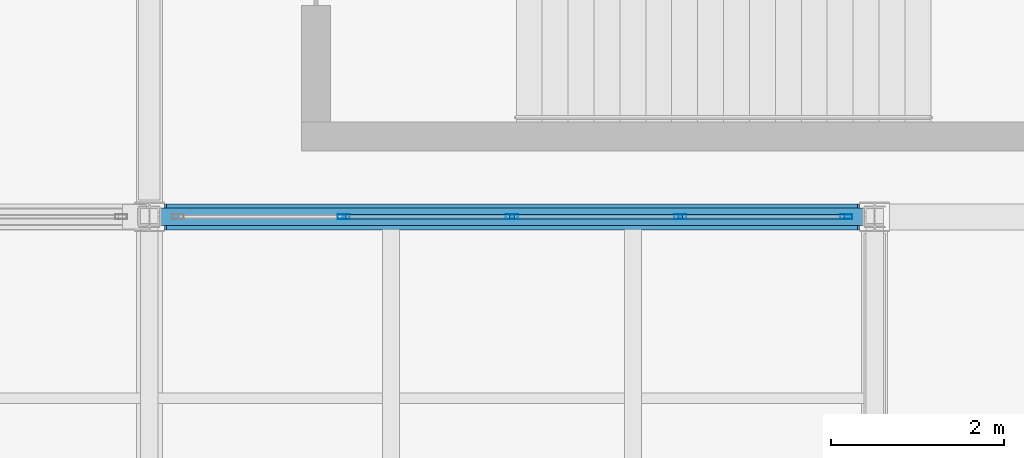
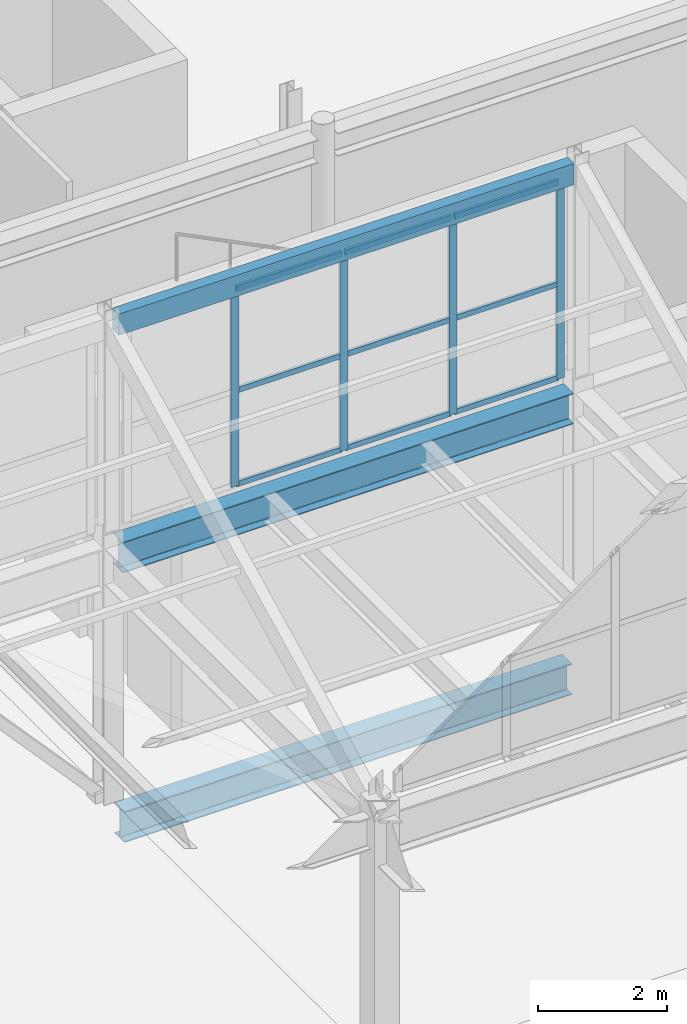
# One storey, part 46 of 91: 13 members, 3 beams, 1 element without a shape of its own.
"""IFC4 building model written with IfcOpenShell, lengths in metres."""

from ifc_helpers import new_model, si_unit, direction, frame, origin, origin_2d, place, context, subcontext, project, spatial, hollow_rectangle, i_section, extrude, material, layer, layer_set, material_profile, profile_set, type_object, element, aggregate, save


model = new_model("IFC4")

# Units and contexts
model_context = context("Model", 3, precision=1e-05, world=origin(), true_north=direction((0.0, 1.0)))
body_context = subcontext(model_context, "Body", "Model", "MODEL_VIEW")
ifc_project = project(units=[si_unit("LENGTHUNIT", "METRE"), si_unit("AREAUNIT", "SQUARE_METRE"), si_unit("VOLUMEUNIT", "CUBIC_METRE"), si_unit("PLANEANGLEUNIT", "RADIAN"), si_unit("MASSUNIT", "GRAM", prefix="KILO"), si_unit("THERMODYNAMICTEMPERATUREUNIT", "KELVIN")], contexts=[model_context])

# Site, building, storey
site_placement = place(None, origin())
site = spatial("IfcSite", under=ifc_project, at=site_placement, CompositionType="ELEMENT")
building_placement = place(site_placement, origin())
building = spatial("IfcBuilding", under=site, at=building_placement, Name="Lustrewick Department Store", CompositionType="ELEMENT")
storey_placement = place(building_placement, frame((0.0, 0.0, 21.60009765625)))
storey = spatial("IfcBuildingStorey", under=building, at=storey_placement, Name="L05", CompositionType="ELEMENT", Elevation=21.60009765625)

# Curtain wall, members
ifc_material_1 = material(Name="Thermally broken aluminium 6063-T5", Category="aluminium")
ifc_layer = layer(ifc_material_1, 0.139892578125, Name="Thermally broken aluminium 6063-T5")
ifc_layer_set = layer_set([ifc_layer], Name="Thermally broken aluminium 6063-T5")
curtain_wall_type = type_object("IfcCurtainWallType", Name="CW15", PredefinedType="NOTDEFINED", material=ifc_layer_set)
curtain_wall_placement = place(storey_placement, origin())
curtain_wall = element("IfcCurtainWall", 1, at=curtain_wall_placement, inside=storey, type_object=curtain_wall_type, Name="L05 North-Light Clerestory CW15", PredefinedType="NOTDEFINED")
ifc_material_profile_1 = material_profile(ifc_material_1, hollow_rectangle(XDim=0.054931640625, YDim=0.139892578125, WallThickness=0.00341796875, at=origin_2d()), Name="ALU-M 55x140x3.5")
ifc_profile_set_1 = profile_set([ifc_material_profile_1], Name="Thermally broken aluminium 6063-T5")
member_type_1 = type_object("IfcMemberType", Name="CW15-M1", PredefinedType="MULLION", material=ifc_profile_set_1)
member_1_placement = place(storey_placement, frame((136.64990234375, 42.0, 5.099853515625), z_axis=(0.0, 0.0, 1.0), x_axis=(0.0, 1.0, 0.0)))
member_1 = element("IfcMember", 2, at=member_1_placement, type_object=member_type_1, Name="CW15 mullion 2", PredefinedType="MULLION", context=body_context, shape_type="SweptSolid", body=[
    extrude(hollow_rectangle(XDim=0.054931640625, YDim=0.139892578125, WallThickness=0.00341796875, at=origin_2d()), origin(), (0.0, 0.0, 1.0), 3.75),
])
member_2_placement = place(storey_placement, frame((138.60009765625, 42.0, 5.099853515625), z_axis=(0.0, 0.0, 1.0), x_axis=(0.0, 1.0, 0.0)))
member_2 = element("IfcMember", 3, at=member_2_placement, type_object=member_type_1, Name="CW15 mullion 3", PredefinedType="MULLION", context=body_context, shape_type="SweptSolid", body=[
    extrude(hollow_rectangle(XDim=0.054931640625, YDim=0.139892578125, WallThickness=0.00341796875, at=origin_2d()), origin(), (0.0, 0.0, 1.0), 3.75),
])
member_3_placement = place(storey_placement, frame((140.550048828125, 42.0, 5.099853515625), z_axis=(0.0, 0.0, 1.0), x_axis=(0.0, 1.0, 0.0)))
member_3 = element("IfcMember", 4, at=member_3_placement, type_object=member_type_1, Name="CW15 mullion 4", PredefinedType="MULLION", context=body_context, shape_type="SweptSolid", body=[
    extrude(hollow_rectangle(XDim=0.054931640625, YDim=0.139892578125, WallThickness=0.00341796875, at=origin_2d()), origin(), (0.0, 0.0, 1.0), 3.75),
])
member_4_placement = place(storey_placement, frame((142.472412109375, 42.0, 5.099853515625), z_axis=(0.0, 0.0, 1.0), x_axis=(0.0, 1.0, 0.0)))
member_4 = element("IfcMember", 5, at=member_4_placement, type_object=member_type_1, Name="CW15 mullion 5", PredefinedType="MULLION", context=body_context, shape_type="SweptSolid", body=[
    extrude(hollow_rectangle(XDim=0.054931640625, YDim=0.139892578125, WallThickness=0.00341796875, at=origin_2d()), origin(), (0.0, 0.0, 1.0), 3.75),
])
ifc_material_profile_2 = material_profile(ifc_material_1, hollow_rectangle(XDim=0.054931640625, YDim=0.10009765625, WallThickness=0.0029296875, at=origin_2d()), Name="ALU-T 55x100x3")
ifc_profile_set_2 = profile_set([ifc_material_profile_2], Name="Thermally broken aluminium 6063-T5")
member_type_2 = type_object("IfcMemberType", Name="CW15-T1", PredefinedType="USERDEFINED", material=ifc_profile_set_2)
member_5_placement = place(storey_placement, frame((136.677490234375, 42.0, 5.12744140625), z_axis=(1.0, 0.0, 0.0), x_axis=(0.0, 1.0, 0.0)))
member_5 = element("IfcMember", 6, at=member_5_placement, type_object=member_type_2, Name="CW15 transom 2.1", ObjectType="TRANSOM", PredefinedType="USERDEFINED", context=body_context, shape_type="SweptSolid", body=[
    extrude(hollow_rectangle(XDim=0.054931640625, YDim=0.10009765625, WallThickness=0.0029296875, at=origin_2d()), origin(), (0.0, 0.0, 1.0), 1.89501953125),
])
member_6_placement = place(storey_placement, frame((136.677490234375, 42.0, 6.89990234375), z_axis=(1.0, 0.0, 0.0), x_axis=(0.0, 1.0, 0.0)))
member_6 = element("IfcMember", 7, at=member_6_placement, type_object=member_type_2, Name="CW15 transom 2.2", ObjectType="TRANSOM", PredefinedType="USERDEFINED", context=body_context, shape_type="SweptSolid", body=[
    extrude(hollow_rectangle(XDim=0.054931640625, YDim=0.10009765625, WallThickness=0.0029296875, at=origin_2d()), origin(), (0.0, 0.0, 1.0), 1.89501953125),
])
member_7_placement = place(storey_placement, frame((136.677490234375, 42.0, 8.822509765625), z_axis=(1.0, 0.0, 0.0), x_axis=(0.0, 1.0, 0.0)))
member_7 = element("IfcMember", 8, at=member_7_placement, type_object=member_type_2, Name="CW15 transom 2.3", ObjectType="TRANSOM", PredefinedType="USERDEFINED", context=body_context, shape_type="SweptSolid", body=[
    extrude(hollow_rectangle(XDim=0.054931640625, YDim=0.10009765625, WallThickness=0.0029296875, at=origin_2d()), origin(), (0.0, 0.0, 1.0), 1.89501953125),
])
member_8_placement = place(storey_placement, frame((138.62744140625, 42.0, 5.12744140625), z_axis=(1.0, 0.0, 0.0), x_axis=(0.0, 1.0, 0.0)))
member_8 = element("IfcMember", 9, at=member_8_placement, type_object=member_type_2, Name="CW15 transom 3.1", ObjectType="TRANSOM", PredefinedType="USERDEFINED", context=body_context, shape_type="SweptSolid", body=[
    extrude(hollow_rectangle(XDim=0.054931640625, YDim=0.10009765625, WallThickness=0.0029296875, at=origin_2d()), origin(), (0.0, 0.0, 1.0), 1.89501953125),
])
member_9_placement = place(storey_placement, frame((138.62744140625, 42.0, 6.89990234375), z_axis=(1.0, 0.0, 0.0), x_axis=(0.0, 1.0, 0.0)))
member_9 = element("IfcMember", 10, at=member_9_placement, type_object=member_type_2, Name="CW15 transom 3.2", ObjectType="TRANSOM", PredefinedType="USERDEFINED", context=body_context, shape_type="SweptSolid", body=[
    extrude(hollow_rectangle(XDim=0.054931640625, YDim=0.10009765625, WallThickness=0.0029296875, at=origin_2d()), origin(), (0.0, 0.0, 1.0), 1.89501953125),
])
member_10_placement = place(storey_placement, frame((138.62744140625, 42.0, 8.822509765625), z_axis=(1.0, 0.0, 0.0), x_axis=(0.0, 1.0, 0.0)))
member_10 = element("IfcMember", 11, at=member_10_placement, type_object=member_type_2, Name="CW15 transom 3.3", ObjectType="TRANSOM", PredefinedType="USERDEFINED", context=body_context, shape_type="SweptSolid", body=[
    extrude(hollow_rectangle(XDim=0.054931640625, YDim=0.10009765625, WallThickness=0.0029296875, at=origin_2d()), origin(), (0.0, 0.0, 1.0), 1.89501953125),
])
member_11_placement = place(storey_placement, frame((140.577392578125, 42.0, 5.12744140625), z_axis=(1.0, 0.0, 0.0), x_axis=(0.0, 1.0, 0.0)))
member_11 = element("IfcMember", 12, at=member_11_placement, type_object=member_type_2, Name="CW15 transom 4.1", ObjectType="TRANSOM", PredefinedType="USERDEFINED", context=body_context, shape_type="SweptSolid", body=[
    extrude(hollow_rectangle(XDim=0.054931640625, YDim=0.10009765625, WallThickness=0.0029296875, at=origin_2d()), origin(), (0.0, 0.0, 1.0), 1.86767578125),
])
member_12_placement = place(storey_placement, frame((140.577392578125, 42.0, 6.89990234375), z_axis=(1.0, 0.0, 0.0), x_axis=(0.0, 1.0, 0.0)))
member_12 = element("IfcMember", 13, at=member_12_placement, type_object=member_type_2, Name="CW15 transom 4.2", ObjectType="TRANSOM", PredefinedType="USERDEFINED", context=body_context, shape_type="SweptSolid", body=[
    extrude(hollow_rectangle(XDim=0.054931640625, YDim=0.10009765625, WallThickness=0.0029296875, at=origin_2d()), origin(), (0.0, 0.0, 1.0), 1.86767578125),
])
member_13_placement = place(storey_placement, frame((140.577392578125, 42.0, 8.822509765625), z_axis=(1.0, 0.0, 0.0), x_axis=(0.0, 1.0, 0.0)))
member_13 = element("IfcMember", 14, at=member_13_placement, type_object=member_type_2, Name="CW15 transom 4.3", ObjectType="TRANSOM", PredefinedType="USERDEFINED", context=body_context, shape_type="SweptSolid", body=[
    extrude(hollow_rectangle(XDim=0.054931640625, YDim=0.10009765625, WallThickness=0.0029296875, at=origin_2d()), origin(), (0.0, 0.0, 1.0), 1.86767578125),
])
aggregate(curtain_wall, [member_1, member_2, member_3, member_4, member_5, member_6, member_7, member_8, member_9, member_10, member_11, member_12, member_13])

# Beams
ifc_material_2 = material(Name="Structural steel Q355B", Category="steel")
ifc_material_profile_3 = material_profile(ifc_material_2, i_section(OverallWidth=0.300048828125, OverallDepth=0.587890625, WebThickness=0.011962890625, FlangeThickness=0.02001953125, FilletRadius=0.02392578125, at=origin_2d()), Name="HM 588x300x12x20")
ifc_profile_set_3 = profile_set([ifc_material_profile_3], Name="Structural steel Q355B")
beam_type_1 = type_object("IfcBeamType", Name="G11", PredefinedType="BEAM", material=ifc_profile_set_3)
beam_1_placement = place(storey_placement, frame((134.60107421875, 42.0, -0.549072265625), z_axis=(1.0, 0.0, 0.0), x_axis=(0.0, 1.0, 0.0)))
element("IfcBeam", 15, at=beam_1_placement, inside=storey, type_object=beam_type_1, Name="L05 V3 Girder G11", PredefinedType="BEAM", context=body_context, shape_type="SweptSolid", body=[
    extrude(i_section(OverallWidth=0.300048828125, OverallDepth=0.587890625, WebThickness=0.011962890625, FlangeThickness=0.02001953125, FilletRadius=0.02392578125, at=origin_2d()), origin(), (0.0, 0.0, 1.0), 7.998046875),
])
ifc_material_profile_4 = material_profile(ifc_material_2, i_section(OverallWidth=0.300048828125, OverallDepth=0.58203125, WebThickness=0.011962890625, FlangeThickness=0.01708984375, FilletRadius=0.02392578125, at=origin_2d()), Name="HM 582x300x12x17")
ifc_profile_set_4 = profile_set([ifc_material_profile_4], Name="Structural steel Q355B")
beam_type_2 = type_object("IfcBeamType", Name="G12", PredefinedType="BEAM", material=ifc_profile_set_4)
beam_2_placement = place(storey_placement, frame((134.573974609375, 42.0, 4.553955078125), z_axis=(1.0, 0.0, 0.0), x_axis=(0.0, 1.0, 0.0)))
element("IfcBeam", 16, at=beam_2_placement, inside=storey, type_object=beam_type_2, Name="L05 V3 Girder G12", PredefinedType="BEAM", context=body_context, shape_type="SweptSolid", body=[
    extrude(i_section(OverallWidth=0.300048828125, OverallDepth=0.58203125, WebThickness=0.011962890625, FlangeThickness=0.01708984375, FilletRadius=0.02392578125, at=origin_2d()), origin(), (0.0, 0.0, 1.0), 8.052001953125),
])
ifc_material_3 = material(Name="Structural steel Q355C", Category="steel")
ifc_material_profile_5 = material_profile(ifc_material_3, hollow_rectangle(XDim=0.199951171875, YDim=0.39990234375, WallThickness=0.011962890625, at=origin_2d()), Name="RHS 400x200x12")
ifc_profile_set_5 = profile_set([ifc_material_profile_5], Name="Structural steel Q355C")
beam_type_3 = type_object("IfcBeamType", Name="G19", PredefinedType="BEAM", material=ifc_profile_set_5)
beam_3_placement = place(storey_placement, frame((134.530029296875, 42.0, 8.93994140625), z_axis=(1.0, 0.0, 0.0), x_axis=(0.0, 1.0, 0.0)))
element("IfcBeam", 17, at=beam_3_placement, inside=storey, type_object=beam_type_3, Name="V3 Lantern Ridge Tie 2.2", PredefinedType="BEAM", context=body_context, shape_type="SweptSolid", body=[
    extrude(hollow_rectangle(XDim=0.199951171875, YDim=0.39990234375, WallThickness=0.011962890625, at=origin_2d()), origin(), (0.0, 0.0, 1.0), 8.139892578125),
])

save(model, "model.ifc")
